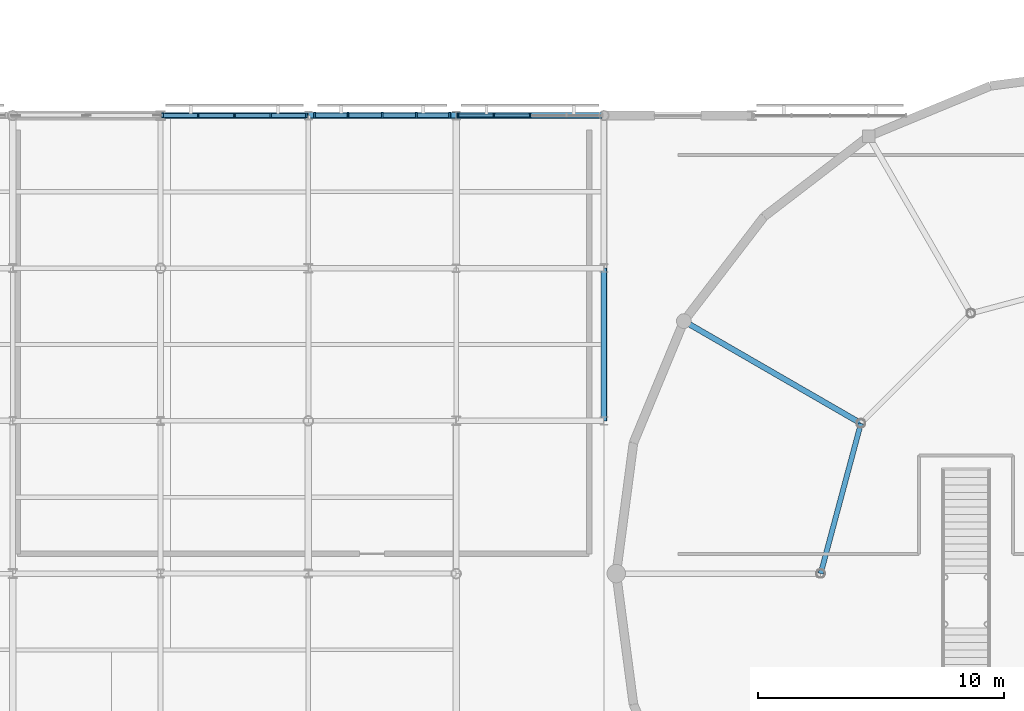
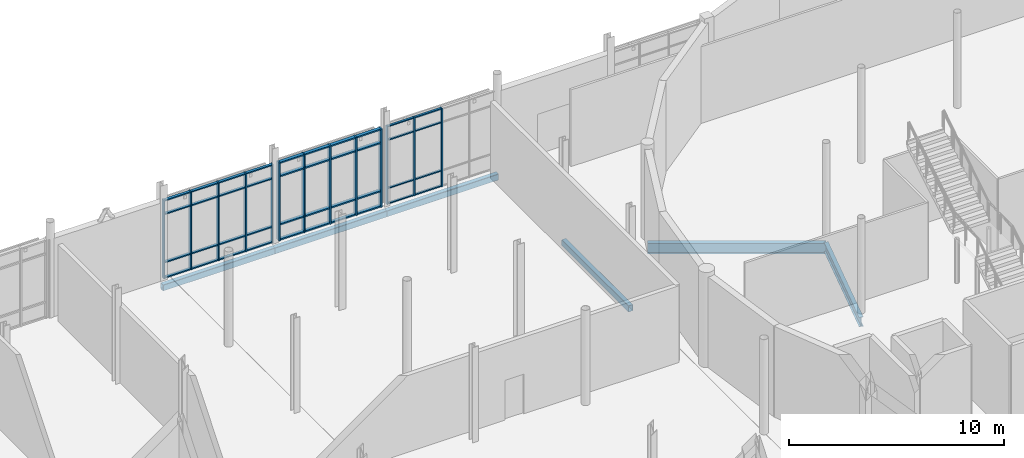
# One storey, part 42 of 98: 53 members, 6 beams, 3 elements without a shape of their own.
"""IFC4 building model written with IfcOpenShell, lengths in metres."""

from ifc_helpers import new_model, si_unit, direction, frame, origin, origin_2d, place, context, subcontext, project, spatial, rectangle, hollow_rectangle, i_section, extrude, material, layer, layer_set, material_profile, profile_set, type_object, element, aggregate, save


model = new_model("IFC4")

# Units and contexts
model_context = context("Model", 3, precision=1e-05, world=origin(), true_north=direction((0.0, 1.0)))
body_context = subcontext(model_context, "Body", "Model", "MODEL_VIEW")
ifc_project = project(units=[si_unit("LENGTHUNIT", "METRE"), si_unit("AREAUNIT", "SQUARE_METRE"), si_unit("VOLUMEUNIT", "CUBIC_METRE"), si_unit("PLANEANGLEUNIT", "RADIAN"), si_unit("MASSUNIT", "GRAM", prefix="KILO")], contexts=[model_context])

# Site, building, storey
site_placement = place(None, origin())
site = spatial("IfcSite", under=ifc_project, at=site_placement, CompositionType="ELEMENT")
building_placement = place(site_placement, origin())
building = spatial("IfcBuilding", under=site, at=building_placement, Name="Mirzam Square Science Centre", CompositionType="ELEMENT")
storey_placement = place(building_placement, origin())
storey = spatial("IfcBuildingStorey", under=building, at=storey_placement, Name="L00", CompositionType="ELEMENT", Elevation=0.0)

# Beams
ifc_material_1 = material(Name="Steel S355", Category="steel")
ifc_material_profile_1 = material_profile(ifc_material_1, i_section(OverallWidth=0.2099609375, OverallDepth=0.53662109375, WebThickness=0.0107421875, FlangeThickness=0.017333984375, FilletRadius=0.0126953125, at=origin_2d()), Name="533x210x101UB")
ifc_profile_set_1 = profile_set([ifc_material_profile_1], Name="Steel S355")
beam_type_1 = type_object("IfcBeamType", Name="BM-UB533", PredefinedType="BEAM", material=ifc_profile_set_1)
beam_1_placement = place(storey_placement, frame((70.4345703125, 68.10009765625, -0.568359375), z_axis=(-0.25881981979, -0.965925618712, 0.0), x_axis=(0.965925618712, -0.25881981979, 0.0)))
element("IfcBeam", 1, at=beam_1_placement, inside=storey, type_object=beam_type_1, Name="L00 inner drum ring girder 06", PredefinedType="BEAM", context=body_context, shape_type="SweptSolid", body=[
    extrude(i_section(OverallWidth=0.2099609375, OverallDepth=0.53662109375, WebThickness=0.0107421875, FlangeThickness=0.017333984375, FilletRadius=0.0126953125, at=origin_2d()), origin(), (0.0, 0.0, 1.0), 6.315185546875),
])
ifc_material_profile_2 = material_profile(ifc_material_1, i_section(OverallWidth=0.22900390625, OverallDepth=0.6123046875, WebThickness=0.011962890625, FlangeThickness=0.01953125, FilletRadius=0.0126953125, at=origin_2d()), Name="610x229x125UB")
ifc_profile_set_2 = profile_set([ifc_material_profile_2], Name="Steel S355")
beam_type_2 = type_object("IfcBeamType", Name="BM-UB610", PredefinedType="BEAM", material=ifc_profile_set_2)
beam_2_placement = place(storey_placement, frame((70.4345703125, 68.10009765625, -0.606201171875), z_axis=(-0.86602981871, 0.499992353047, 0.0), x_axis=(-0.499992353047, -0.86602981871, 0.0)))
element("IfcBeam", 2, at=beam_2_placement, inside=storey, type_object=beam_type_2, Name="L00 drum radial girder 06", PredefinedType="BEAM", context=body_context, shape_type="SweptSolid", body=[
    extrude(i_section(OverallWidth=0.22900390625, OverallDepth=0.6123046875, WebThickness=0.011962890625, FlangeThickness=0.01953125, FilletRadius=0.0126953125, at=origin_2d()), origin(), (0.0, 0.0, 1.0), 8.300048828125),
])

# Curtain wall, members
ifc_material_2 = material(Name="Anodised Aluminium and Low-E Solar Glass", Category="aluminium")
ifc_layer_1 = layer(ifc_material_2, 0.199951171875)
ifc_layer_set_1 = layer_set([ifc_layer_1], Name="CW-EAST-A")
curtain_wall_type_1 = type_object("IfcCurtainWallType", Name="CW-EAST-A", PredefinedType="USERDEFINED", material=ifc_layer_set_1)
curtain_wall_1_placement = place(storey_placement, origin())
curtain_wall_1 = element("IfcCurtainWall", 3, at=curtain_wall_1_placement, inside=storey, type_object=curtain_wall_type_1, Name="L00 unitised curtain wall 6", ObjectType="UNITISED CURTAIN WALL", PredefinedType="USERDEFINED")
ifc_material_3 = material(Name="Anodised Architectural Aluminium 6063-T6", Category="aluminium")
ifc_material_profile_3 = material_profile(ifc_material_3, rectangle(XDim=0.06005859375, YDim=0.159912109375, at=origin_2d()), Name="ALU-MULL-160x60x4")
ifc_profile_set_3 = profile_set([ifc_material_profile_3], Name="Anodised Architectural Aluminium 6063-T6")
member_type_1 = type_object("IfcMemberType", Name="CWM-160", PredefinedType="MULLION", material=ifc_profile_set_3)
member_1_placement = place(storey_placement, frame((57.0, 80.60009765625, 0.0), z_axis=(0.0, 0.0, 1.0), x_axis=(-1.0, 0.0, 0.0)))
member_1 = element("IfcMember", 4, at=member_1_placement, type_object=member_type_1, Name="CW-05 mullion 3", PredefinedType="MULLION", context=body_context, shape_type="SweptSolid", body=[
    extrude(rectangle(XDim=0.06005859375, YDim=0.159912109375, at=origin_2d()), origin(), (0.0, 0.0, 1.0), 4.43994140625),
])
member_2_placement = place(storey_placement, frame((55.527587890625, 80.60009765625, 0.0), z_axis=(0.0, 0.0, 1.0), x_axis=(-1.0, 0.0, 0.0)))
member_2 = element("IfcMember", 5, at=member_2_placement, type_object=member_type_1, Name="CW-05 mullion 4", PredefinedType="MULLION", context=body_context, shape_type="SweptSolid", body=[
    extrude(rectangle(XDim=0.06005859375, YDim=0.159912109375, at=origin_2d()), origin(), (0.0, 0.0, 1.0), 4.43994140625),
])
member_3_placement = place(storey_placement, frame((54.0849609375, 80.60009765625, 0.0), z_axis=(0.0, 0.0, 1.0), x_axis=(-1.0, 0.0, 0.0)))
member_3 = element("IfcMember", 6, at=member_3_placement, type_object=member_type_1, Name="CW-05 mullion 5", PredefinedType="MULLION", context=body_context, shape_type="SweptSolid", body=[
    extrude(rectangle(XDim=0.06005859375, YDim=0.159912109375, at=origin_2d()), origin(), (0.0, 0.0, 1.0), 4.43994140625),
])

ifc_layer_2 = layer(ifc_material_2, 0.159912109375)
ifc_layer_set_2 = layer_set([ifc_layer_2], Name="CW-COURT-A")
curtain_wall_type_2 = type_object("IfcCurtainWallType", Name="CW-COURT-A", PredefinedType="USERDEFINED", material=ifc_layer_set_2)
curtain_wall_2_placement = place(storey_placement, origin())
curtain_wall_2 = element("IfcCurtainWall", 7, at=curtain_wall_2_placement, inside=storey, type_object=curtain_wall_type_2, Name="L00 unitised curtain wall 4", ObjectType="UNITISED CURTAIN WALL", PredefinedType="USERDEFINED")
ifc_material_profile_4 = material_profile(ifc_material_3, rectangle(XDim=0.06494140625, YDim=0.199951171875, at=origin_2d()), Name="ALU-MULL-200x65x5")
ifc_profile_set_4 = profile_set([ifc_material_profile_4], Name="Anodised Architectural Aluminium 6063-T6")
member_type_2 = type_object("IfcMemberType", Name="CWM-200", PredefinedType="MULLION", material=ifc_profile_set_4)
member_4_placement = place(storey_placement, frame((47.91259765625, 80.60009765625, 0.0), z_axis=(0.0, 0.0, 1.0), x_axis=(-1.0, 0.0, 0.0)))
member_4 = element("IfcMember", 8, at=member_4_placement, type_object=member_type_2, Name="CW-03 mullion 1", PredefinedType="MULLION", context=body_context, shape_type="SweptSolid", body=[
    extrude(rectangle(XDim=0.06494140625, YDim=0.199951171875, at=origin_2d()), origin(), (0.0, 0.0, 1.0), 4.43994140625),
])
member_5_placement = place(storey_placement, frame((46.472412109375, 80.60009765625, 0.0), z_axis=(0.0, 0.0, 1.0), x_axis=(-1.0, 0.0, 0.0)))
member_5 = element("IfcMember", 9, at=member_5_placement, type_object=member_type_2, Name="CW-03 mullion 2", PredefinedType="MULLION", context=body_context, shape_type="SweptSolid", body=[
    extrude(rectangle(XDim=0.06494140625, YDim=0.199951171875, at=origin_2d()), origin(), (0.0, 0.0, 1.0), 4.43994140625),
])
member_6_placement = place(storey_placement, frame((45.0, 80.60009765625, 0.0), z_axis=(0.0, 0.0, 1.0), x_axis=(-1.0, 0.0, 0.0)))
member_6 = element("IfcMember", 10, at=member_6_placement, type_object=member_type_2, Name="CW-03 mullion 3", PredefinedType="MULLION", context=body_context, shape_type="SweptSolid", body=[
    extrude(rectangle(XDim=0.06494140625, YDim=0.199951171875, at=origin_2d()), origin(), (0.0, 0.0, 1.0), 4.43994140625),
])
member_7_placement = place(storey_placement, frame((43.527587890625, 80.60009765625, 0.0), z_axis=(0.0, 0.0, 1.0), x_axis=(-1.0, 0.0, 0.0)))
member_7 = element("IfcMember", 11, at=member_7_placement, type_object=member_type_2, Name="CW-03 mullion 4", PredefinedType="MULLION", context=body_context, shape_type="SweptSolid", body=[
    extrude(rectangle(XDim=0.06494140625, YDim=0.199951171875, at=origin_2d()), origin(), (0.0, 0.0, 1.0), 4.43994140625),
])
member_8_placement = place(storey_placement, frame((42.08740234375, 80.60009765625, 0.0), z_axis=(0.0, 0.0, 1.0), x_axis=(-1.0, 0.0, 0.0)))
member_8 = element("IfcMember", 12, at=member_8_placement, type_object=member_type_2, Name="CW-03 mullion 5", PredefinedType="MULLION", context=body_context, shape_type="SweptSolid", body=[
    extrude(rectangle(XDim=0.06494140625, YDim=0.199951171875, at=origin_2d()), origin(), (0.0, 0.0, 1.0), 4.43994140625),
])

ifc_layer_3 = layer(ifc_material_2, 0.159912109375)
ifc_layer_set_3 = layer_set([ifc_layer_3], Name="CW-COURT-B")
curtain_wall_type_3 = type_object("IfcCurtainWallType", Name="CW-COURT-B", PredefinedType="USERDEFINED", material=ifc_layer_set_3)
curtain_wall_3_placement = place(storey_placement, origin())
curtain_wall_3 = element("IfcCurtainWall", 13, at=curtain_wall_3_placement, inside=storey, type_object=curtain_wall_type_3, Name="L00 unitised curtain wall 5", ObjectType="UNITISED CURTAIN WALL", PredefinedType="USERDEFINED")
ifc_material_profile_5 = material_profile(ifc_material_3, rectangle(XDim=0.074951171875, YDim=0.239990234375, at=origin_2d()), Name="ALU-MULL-240x75x5")
ifc_profile_set_5 = profile_set([ifc_material_profile_5], Name="Anodised Architectural Aluminium 6063-T6")
member_type_3 = type_object("IfcMemberType", Name="CWM-240", PredefinedType="MULLION", material=ifc_profile_set_5)
member_9_placement = place(storey_placement, frame((53.737548828125, 80.60009765625, 0.0), z_axis=(0.0, 0.0, 1.0), x_axis=(-1.0, 0.0, 0.0)))
member_9 = element("IfcMember", 14, at=member_9_placement, type_object=member_type_3, Name="CW-04 mullion 1", PredefinedType="MULLION", context=body_context, shape_type="SweptSolid", body=[
    extrude(rectangle(XDim=0.074951171875, YDim=0.239990234375, at=origin_2d()), origin(), (0.0, 0.0, 1.0), 4.43994140625),
])
member_10_placement = place(storey_placement, frame((52.387451171875, 80.60009765625, 0.0), z_axis=(0.0, 0.0, 1.0), x_axis=(-1.0, 0.0, 0.0)))
member_10 = element("IfcMember", 15, at=member_10_placement, type_object=member_type_3, Name="CW-04 mullion 2", PredefinedType="MULLION", context=body_context, shape_type="SweptSolid", body=[
    extrude(rectangle(XDim=0.074951171875, YDim=0.239990234375, at=origin_2d()), origin(), (0.0, 0.0, 1.0), 4.43994140625),
])
member_11_placement = place(storey_placement, frame((51.0, 80.60009765625, 0.0), z_axis=(0.0, 0.0, 1.0), x_axis=(-1.0, 0.0, 0.0)))
member_11 = element("IfcMember", 16, at=member_11_placement, type_object=member_type_3, Name="CW-04 mullion 3", PredefinedType="MULLION", context=body_context, shape_type="SweptSolid", body=[
    extrude(rectangle(XDim=0.074951171875, YDim=0.239990234375, at=origin_2d()), origin(), (0.0, 0.0, 1.0), 4.43994140625),
])
member_12_placement = place(storey_placement, frame((49.612548828125, 80.60009765625, 0.0), z_axis=(0.0, 0.0, 1.0), x_axis=(-1.0, 0.0, 0.0)))
member_12 = element("IfcMember", 17, at=member_12_placement, type_object=member_type_3, Name="CW-04 mullion 4", PredefinedType="MULLION", context=body_context, shape_type="SweptSolid", body=[
    extrude(rectangle(XDim=0.074951171875, YDim=0.239990234375, at=origin_2d()), origin(), (0.0, 0.0, 1.0), 4.43994140625),
])
member_13_placement = place(storey_placement, frame((48.262451171875, 80.60009765625, 0.0), z_axis=(0.0, 0.0, 1.0), x_axis=(-1.0, 0.0, 0.0)))
member_13 = element("IfcMember", 18, at=member_13_placement, type_object=member_type_3, Name="CW-04 mullion 5", PredefinedType="MULLION", context=body_context, shape_type="SweptSolid", body=[
    extrude(rectangle(XDim=0.074951171875, YDim=0.239990234375, at=origin_2d()), origin(), (0.0, 0.0, 1.0), 4.43994140625),
])

# Member
ifc_material_profile_6 = material_profile(ifc_material_3, rectangle(XDim=0.1201171875, YDim=0.06005859375, at=origin_2d()), Name="ALU-TRAN-120x60x4")
ifc_profile_set_6 = profile_set([ifc_material_profile_6], Name="Anodised Architectural Aluminium 6063-T6")
member_type_4 = type_object("IfcMemberType", Name="CWT-120", PredefinedType="USERDEFINED", material=ifc_profile_set_6)
member_14_placement = place(storey_placement, frame((56.969970703125, 80.60009765625, 0.030029296875), z_axis=(-1.0, 0.0, 0.0), x_axis=(0.0, -1.0, 0.0)))
member_14 = element("IfcMember", 19, at=member_14_placement, type_object=member_type_4, Name="CW-05 transom 3.1", ObjectType="TRANSOM", PredefinedType="USERDEFINED", context=body_context, shape_type="SweptSolid", body=[
    extrude(rectangle(XDim=0.1201171875, YDim=0.06005859375, at=origin_2d()), origin(), (0.0, 0.0, 1.0), 1.412353515625),
])

member_15_placement = place(storey_placement, frame((56.969970703125, 80.60009765625, 0.89990234375), z_axis=(-1.0, 0.0, 0.0), x_axis=(0.0, -1.0, 0.0)))
member_15 = element("IfcMember", 20, at=member_15_placement, type_object=member_type_4, Name="CW-05 transom 3.2", ObjectType="TRANSOM", PredefinedType="USERDEFINED", context=body_context, shape_type="SweptSolid", body=[
    extrude(rectangle(XDim=0.1201171875, YDim=0.06005859375, at=origin_2d()), origin(), (0.0, 0.0, 1.0), 1.412353515625),
])

member_16_placement = place(storey_placement, frame((56.969970703125, 80.60009765625, 3.639892578125), z_axis=(-1.0, 0.0, 0.0), x_axis=(0.0, -1.0, 0.0)))
member_16 = element("IfcMember", 21, at=member_16_placement, type_object=member_type_4, Name="CW-05 transom 3.3", ObjectType="TRANSOM", PredefinedType="USERDEFINED", context=body_context, shape_type="SweptSolid", body=[
    extrude(rectangle(XDim=0.1201171875, YDim=0.06005859375, at=origin_2d()), origin(), (0.0, 0.0, 1.0), 1.412353515625),
])

member_17_placement = place(storey_placement, frame((56.969970703125, 80.60009765625, 4.409912109375), z_axis=(-1.0, 0.0, 0.0), x_axis=(0.0, -1.0, 0.0)))
member_17 = element("IfcMember", 22, at=member_17_placement, type_object=member_type_4, Name="CW-05 transom 3.4", ObjectType="TRANSOM", PredefinedType="USERDEFINED", context=body_context, shape_type="SweptSolid", body=[
    extrude(rectangle(XDim=0.1201171875, YDim=0.06005859375, at=origin_2d()), origin(), (0.0, 0.0, 1.0), 1.412353515625),
])

member_18_placement = place(storey_placement, frame((55.49755859375, 80.60009765625, 0.030029296875), z_axis=(-1.0, 0.0, 0.0), x_axis=(0.0, -1.0, 0.0)))
member_18 = element("IfcMember", 23, at=member_18_placement, type_object=member_type_4, Name="CW-05 transom 4.1", ObjectType="TRANSOM", PredefinedType="USERDEFINED", context=body_context, shape_type="SweptSolid", body=[
    extrude(rectangle(XDim=0.1201171875, YDim=0.06005859375, at=origin_2d()), origin(), (0.0, 0.0, 1.0), 1.382568359375),
])

member_19_placement = place(storey_placement, frame((55.49755859375, 80.60009765625, 0.89990234375), z_axis=(-1.0, 0.0, 0.0), x_axis=(0.0, -1.0, 0.0)))
member_19 = element("IfcMember", 24, at=member_19_placement, type_object=member_type_4, Name="CW-05 transom 4.2", ObjectType="TRANSOM", PredefinedType="USERDEFINED", context=body_context, shape_type="SweptSolid", body=[
    extrude(rectangle(XDim=0.1201171875, YDim=0.06005859375, at=origin_2d()), origin(), (0.0, 0.0, 1.0), 1.382568359375),
])

member_20_placement = place(storey_placement, frame((55.49755859375, 80.60009765625, 3.639892578125), z_axis=(-1.0, 0.0, 0.0), x_axis=(0.0, -1.0, 0.0)))
member_20 = element("IfcMember", 25, at=member_20_placement, type_object=member_type_4, Name="CW-05 transom 4.3", ObjectType="TRANSOM", PredefinedType="USERDEFINED", context=body_context, shape_type="SweptSolid", body=[
    extrude(rectangle(XDim=0.1201171875, YDim=0.06005859375, at=origin_2d()), origin(), (0.0, 0.0, 1.0), 1.382568359375),
])

member_21_placement = place(storey_placement, frame((55.49755859375, 80.60009765625, 4.409912109375), z_axis=(-1.0, 0.0, 0.0), x_axis=(0.0, -1.0, 0.0)))
member_21 = element("IfcMember", 26, at=member_21_placement, type_object=member_type_4, Name="CW-05 transom 4.4", ObjectType="TRANSOM", PredefinedType="USERDEFINED", context=body_context, shape_type="SweptSolid", body=[
    extrude(rectangle(XDim=0.1201171875, YDim=0.06005859375, at=origin_2d()), origin(), (0.0, 0.0, 1.0), 1.382568359375),
])

aggregate(curtain_wall_1, [member_1, member_2, member_3, member_14, member_15, member_16, member_17, member_18, member_19, member_20, member_21])

ifc_material_profile_7 = material_profile(ifc_material_3, rectangle(XDim=0.14990234375, YDim=0.06494140625, at=origin_2d()), Name="ALU-TRAN-150x65x4")
ifc_profile_set_7 = profile_set([ifc_material_profile_7], Name="Anodised Architectural Aluminium 6063-T6")
member_type_5 = type_object("IfcMemberType", Name="CWT-150", PredefinedType="USERDEFINED", material=ifc_profile_set_7)
member_22_placement = place(storey_placement, frame((47.8798828125, 80.60009765625, 0.032470703125), z_axis=(-1.0, 0.0, 0.0), x_axis=(0.0, -1.0, 0.0)))
member_22 = element("IfcMember", 27, at=member_22_placement, type_object=member_type_5, Name="CW-03 transom 1.1", ObjectType="TRANSOM", PredefinedType="USERDEFINED", context=body_context, shape_type="SweptSolid", body=[
    extrude(rectangle(XDim=0.14990234375, YDim=0.06494140625, at=origin_2d()), origin(), (0.0, 0.0, 1.0), 1.375),
])

member_23_placement = place(storey_placement, frame((47.8798828125, 80.60009765625, 0.89990234375), z_axis=(-1.0, 0.0, 0.0), x_axis=(0.0, -1.0, 0.0)))
member_23 = element("IfcMember", 28, at=member_23_placement, type_object=member_type_5, Name="CW-03 transom 1.2", ObjectType="TRANSOM", PredefinedType="USERDEFINED", context=body_context, shape_type="SweptSolid", body=[
    extrude(rectangle(XDim=0.14990234375, YDim=0.06494140625, at=origin_2d()), origin(), (0.0, 0.0, 1.0), 1.375),
])

member_24_placement = place(storey_placement, frame((47.8798828125, 80.60009765625, 3.639892578125), z_axis=(-1.0, 0.0, 0.0), x_axis=(0.0, -1.0, 0.0)))
member_24 = element("IfcMember", 29, at=member_24_placement, type_object=member_type_5, Name="CW-03 transom 1.3", ObjectType="TRANSOM", PredefinedType="USERDEFINED", context=body_context, shape_type="SweptSolid", body=[
    extrude(rectangle(XDim=0.14990234375, YDim=0.06494140625, at=origin_2d()), origin(), (0.0, 0.0, 1.0), 1.375),
])

member_25_placement = place(storey_placement, frame((47.8798828125, 80.60009765625, 4.407470703125), z_axis=(-1.0, 0.0, 0.0), x_axis=(0.0, -1.0, 0.0)))
member_25 = element("IfcMember", 30, at=member_25_placement, type_object=member_type_5, Name="CW-03 transom 1.4", ObjectType="TRANSOM", PredefinedType="USERDEFINED", context=body_context, shape_type="SweptSolid", body=[
    extrude(rectangle(XDim=0.14990234375, YDim=0.06494140625, at=origin_2d()), origin(), (0.0, 0.0, 1.0), 1.375),
])

member_26_placement = place(storey_placement, frame((46.43994140625, 80.60009765625, 0.032470703125), z_axis=(-1.0, 0.0, 0.0), x_axis=(0.0, -1.0, 0.0)))
member_26 = element("IfcMember", 31, at=member_26_placement, type_object=member_type_5, Name="CW-03 transom 2.1", ObjectType="TRANSOM", PredefinedType="USERDEFINED", context=body_context, shape_type="SweptSolid", body=[
    extrude(rectangle(XDim=0.14990234375, YDim=0.06494140625, at=origin_2d()), origin(), (0.0, 0.0, 1.0), 1.407470703125),
])

member_27_placement = place(storey_placement, frame((46.43994140625, 80.60009765625, 0.89990234375), z_axis=(-1.0, 0.0, 0.0), x_axis=(0.0, -1.0, 0.0)))
member_27 = element("IfcMember", 32, at=member_27_placement, type_object=member_type_5, Name="CW-03 transom 2.2", ObjectType="TRANSOM", PredefinedType="USERDEFINED", context=body_context, shape_type="SweptSolid", body=[
    extrude(rectangle(XDim=0.14990234375, YDim=0.06494140625, at=origin_2d()), origin(), (0.0, 0.0, 1.0), 1.407470703125),
])

member_28_placement = place(storey_placement, frame((46.43994140625, 80.60009765625, 3.639892578125), z_axis=(-1.0, 0.0, 0.0), x_axis=(0.0, -1.0, 0.0)))
member_28 = element("IfcMember", 33, at=member_28_placement, type_object=member_type_5, Name="CW-03 transom 2.3", ObjectType="TRANSOM", PredefinedType="USERDEFINED", context=body_context, shape_type="SweptSolid", body=[
    extrude(rectangle(XDim=0.14990234375, YDim=0.06494140625, at=origin_2d()), origin(), (0.0, 0.0, 1.0), 1.407470703125),
])

member_29_placement = place(storey_placement, frame((46.43994140625, 80.60009765625, 4.407470703125), z_axis=(-1.0, 0.0, 0.0), x_axis=(0.0, -1.0, 0.0)))
member_29 = element("IfcMember", 34, at=member_29_placement, type_object=member_type_5, Name="CW-03 transom 2.4", ObjectType="TRANSOM", PredefinedType="USERDEFINED", context=body_context, shape_type="SweptSolid", body=[
    extrude(rectangle(XDim=0.14990234375, YDim=0.06494140625, at=origin_2d()), origin(), (0.0, 0.0, 1.0), 1.407470703125),
])

member_30_placement = place(storey_placement, frame((44.967529296875, 80.60009765625, 0.032470703125), z_axis=(-1.0, 0.0, 0.0), x_axis=(0.0, -1.0, 0.0)))
member_30 = element("IfcMember", 35, at=member_30_placement, type_object=member_type_5, Name="CW-03 transom 3.1", ObjectType="TRANSOM", PredefinedType="USERDEFINED", context=body_context, shape_type="SweptSolid", body=[
    extrude(rectangle(XDim=0.14990234375, YDim=0.06494140625, at=origin_2d()), origin(), (0.0, 0.0, 1.0), 1.407470703125),
])

member_31_placement = place(storey_placement, frame((44.967529296875, 80.60009765625, 0.89990234375), z_axis=(-1.0, 0.0, 0.0), x_axis=(0.0, -1.0, 0.0)))
member_31 = element("IfcMember", 36, at=member_31_placement, type_object=member_type_5, Name="CW-03 transom 3.2", ObjectType="TRANSOM", PredefinedType="USERDEFINED", context=body_context, shape_type="SweptSolid", body=[
    extrude(rectangle(XDim=0.14990234375, YDim=0.06494140625, at=origin_2d()), origin(), (0.0, 0.0, 1.0), 1.407470703125),
])

member_32_placement = place(storey_placement, frame((44.967529296875, 80.60009765625, 3.639892578125), z_axis=(-1.0, 0.0, 0.0), x_axis=(0.0, -1.0, 0.0)))
member_32 = element("IfcMember", 37, at=member_32_placement, type_object=member_type_5, Name="CW-03 transom 3.3", ObjectType="TRANSOM", PredefinedType="USERDEFINED", context=body_context, shape_type="SweptSolid", body=[
    extrude(rectangle(XDim=0.14990234375, YDim=0.06494140625, at=origin_2d()), origin(), (0.0, 0.0, 1.0), 1.407470703125),
])

member_33_placement = place(storey_placement, frame((44.967529296875, 80.60009765625, 4.407470703125), z_axis=(-1.0, 0.0, 0.0), x_axis=(0.0, -1.0, 0.0)))
member_33 = element("IfcMember", 38, at=member_33_placement, type_object=member_type_5, Name="CW-03 transom 3.4", ObjectType="TRANSOM", PredefinedType="USERDEFINED", context=body_context, shape_type="SweptSolid", body=[
    extrude(rectangle(XDim=0.14990234375, YDim=0.06494140625, at=origin_2d()), origin(), (0.0, 0.0, 1.0), 1.407470703125),
])

member_34_placement = place(storey_placement, frame((43.4951171875, 80.60009765625, 0.032470703125), z_axis=(-1.0, 0.0, 0.0), x_axis=(0.0, -1.0, 0.0)))
member_34 = element("IfcMember", 39, at=member_34_placement, type_object=member_type_5, Name="CW-03 transom 4.1", ObjectType="TRANSOM", PredefinedType="USERDEFINED", context=body_context, shape_type="SweptSolid", body=[
    extrude(rectangle(XDim=0.14990234375, YDim=0.06494140625, at=origin_2d()), origin(), (0.0, 0.0, 1.0), 1.375),
])

member_35_placement = place(storey_placement, frame((43.4951171875, 80.60009765625, 0.89990234375), z_axis=(-1.0, 0.0, 0.0), x_axis=(0.0, -1.0, 0.0)))
member_35 = element("IfcMember", 40, at=member_35_placement, type_object=member_type_5, Name="CW-03 transom 4.2", ObjectType="TRANSOM", PredefinedType="USERDEFINED", context=body_context, shape_type="SweptSolid", body=[
    extrude(rectangle(XDim=0.14990234375, YDim=0.06494140625, at=origin_2d()), origin(), (0.0, 0.0, 1.0), 1.375),
])

member_36_placement = place(storey_placement, frame((43.4951171875, 80.60009765625, 3.639892578125), z_axis=(-1.0, 0.0, 0.0), x_axis=(0.0, -1.0, 0.0)))
member_36 = element("IfcMember", 41, at=member_36_placement, type_object=member_type_5, Name="CW-03 transom 4.3", ObjectType="TRANSOM", PredefinedType="USERDEFINED", context=body_context, shape_type="SweptSolid", body=[
    extrude(rectangle(XDim=0.14990234375, YDim=0.06494140625, at=origin_2d()), origin(), (0.0, 0.0, 1.0), 1.375),
])

member_37_placement = place(storey_placement, frame((43.4951171875, 80.60009765625, 4.407470703125), z_axis=(-1.0, 0.0, 0.0), x_axis=(0.0, -1.0, 0.0)))
member_37 = element("IfcMember", 42, at=member_37_placement, type_object=member_type_5, Name="CW-03 transom 4.4", ObjectType="TRANSOM", PredefinedType="USERDEFINED", context=body_context, shape_type="SweptSolid", body=[
    extrude(rectangle(XDim=0.14990234375, YDim=0.06494140625, at=origin_2d()), origin(), (0.0, 0.0, 1.0), 1.375),
])

aggregate(curtain_wall_2, [member_4, member_5, member_6, member_7, member_8, member_22, member_23, member_24, member_25, member_26, member_27, member_28, member_29, member_30, member_31, member_32, member_33, member_34, member_35, member_36, member_37])

ifc_material_profile_8 = material_profile(ifc_material_3, rectangle(XDim=0.179931640625, YDim=0.074951171875, at=origin_2d()), Name="ALU-TRAN-180x75x5")
ifc_profile_set_8 = profile_set([ifc_material_profile_8], Name="Anodised Architectural Aluminium 6063-T6")
member_type_6 = type_object("IfcMemberType", Name="CWT-180", PredefinedType="USERDEFINED", material=ifc_profile_set_8)
member_38_placement = place(storey_placement, frame((53.699951171875, 80.60009765625, 0.03759765625), z_axis=(-1.0, 0.0, 0.0), x_axis=(0.0, -1.0, 0.0)))
member_38 = element("IfcMember", 43, at=member_38_placement, type_object=member_type_6, Name="CW-04 transom 1.1", ObjectType="TRANSOM", PredefinedType="USERDEFINED", context=body_context, shape_type="SweptSolid", body=[
    extrude(rectangle(XDim=0.179931640625, YDim=0.074951171875, at=origin_2d()), origin(), (0.0, 0.0, 1.0), 1.27490234375),
])

member_39_placement = place(storey_placement, frame((53.699951171875, 80.60009765625, 0.89990234375), z_axis=(-1.0, 0.0, 0.0), x_axis=(0.0, -1.0, 0.0)))
member_39 = element("IfcMember", 44, at=member_39_placement, type_object=member_type_6, Name="CW-04 transom 1.2", ObjectType="TRANSOM", PredefinedType="USERDEFINED", context=body_context, shape_type="SweptSolid", body=[
    extrude(rectangle(XDim=0.179931640625, YDim=0.074951171875, at=origin_2d()), origin(), (0.0, 0.0, 1.0), 1.27490234375),
])

member_40_placement = place(storey_placement, frame((53.699951171875, 80.60009765625, 3.639892578125), z_axis=(-1.0, 0.0, 0.0), x_axis=(0.0, -1.0, 0.0)))
member_40 = element("IfcMember", 45, at=member_40_placement, type_object=member_type_6, Name="CW-04 transom 1.3", ObjectType="TRANSOM", PredefinedType="USERDEFINED", context=body_context, shape_type="SweptSolid", body=[
    extrude(rectangle(XDim=0.179931640625, YDim=0.074951171875, at=origin_2d()), origin(), (0.0, 0.0, 1.0), 1.27490234375),
])

member_41_placement = place(storey_placement, frame((53.699951171875, 80.60009765625, 4.402587890625), z_axis=(-1.0, 0.0, 0.0), x_axis=(0.0, -1.0, 0.0)))
member_41 = element("IfcMember", 46, at=member_41_placement, type_object=member_type_6, Name="CW-04 transom 1.4", ObjectType="TRANSOM", PredefinedType="USERDEFINED", context=body_context, shape_type="SweptSolid", body=[
    extrude(rectangle(XDim=0.179931640625, YDim=0.074951171875, at=origin_2d()), origin(), (0.0, 0.0, 1.0), 1.27490234375),
])

member_42_placement = place(storey_placement, frame((52.35009765625, 80.60009765625, 0.03759765625), z_axis=(-1.0, 0.0, 0.0), x_axis=(0.0, -1.0, 0.0)))
member_42 = element("IfcMember", 47, at=member_42_placement, type_object=member_type_6, Name="CW-04 transom 2.1", ObjectType="TRANSOM", PredefinedType="USERDEFINED", context=body_context, shape_type="SweptSolid", body=[
    extrude(rectangle(XDim=0.179931640625, YDim=0.074951171875, at=origin_2d()), origin(), (0.0, 0.0, 1.0), 1.3125),
])

member_43_placement = place(storey_placement, frame((52.35009765625, 80.60009765625, 0.89990234375), z_axis=(-1.0, 0.0, 0.0), x_axis=(0.0, -1.0, 0.0)))
member_43 = element("IfcMember", 48, at=member_43_placement, type_object=member_type_6, Name="CW-04 transom 2.2", ObjectType="TRANSOM", PredefinedType="USERDEFINED", context=body_context, shape_type="SweptSolid", body=[
    extrude(rectangle(XDim=0.179931640625, YDim=0.074951171875, at=origin_2d()), origin(), (0.0, 0.0, 1.0), 1.3125),
])

member_44_placement = place(storey_placement, frame((52.35009765625, 80.60009765625, 3.639892578125), z_axis=(-1.0, 0.0, 0.0), x_axis=(0.0, -1.0, 0.0)))
member_44 = element("IfcMember", 49, at=member_44_placement, type_object=member_type_6, Name="CW-04 transom 2.3", ObjectType="TRANSOM", PredefinedType="USERDEFINED", context=body_context, shape_type="SweptSolid", body=[
    extrude(rectangle(XDim=0.179931640625, YDim=0.074951171875, at=origin_2d()), origin(), (0.0, 0.0, 1.0), 1.3125),
])

member_45_placement = place(storey_placement, frame((52.35009765625, 80.60009765625, 4.402587890625), z_axis=(-1.0, 0.0, 0.0), x_axis=(0.0, -1.0, 0.0)))
member_45 = element("IfcMember", 50, at=member_45_placement, type_object=member_type_6, Name="CW-04 transom 2.4", ObjectType="TRANSOM", PredefinedType="USERDEFINED", context=body_context, shape_type="SweptSolid", body=[
    extrude(rectangle(XDim=0.179931640625, YDim=0.074951171875, at=origin_2d()), origin(), (0.0, 0.0, 1.0), 1.3125),
])

member_46_placement = place(storey_placement, frame((50.96240234375, 80.60009765625, 0.03759765625), z_axis=(-1.0, 0.0, 0.0), x_axis=(0.0, -1.0, 0.0)))
member_46 = element("IfcMember", 51, at=member_46_placement, type_object=member_type_6, Name="CW-04 transom 3.1", ObjectType="TRANSOM", PredefinedType="USERDEFINED", context=body_context, shape_type="SweptSolid", body=[
    extrude(rectangle(XDim=0.179931640625, YDim=0.074951171875, at=origin_2d()), origin(), (0.0, 0.0, 1.0), 1.3125),
])

member_47_placement = place(storey_placement, frame((50.96240234375, 80.60009765625, 0.89990234375), z_axis=(-1.0, 0.0, 0.0), x_axis=(0.0, -1.0, 0.0)))
member_47 = element("IfcMember", 52, at=member_47_placement, type_object=member_type_6, Name="CW-04 transom 3.2", ObjectType="TRANSOM", PredefinedType="USERDEFINED", context=body_context, shape_type="SweptSolid", body=[
    extrude(rectangle(XDim=0.179931640625, YDim=0.074951171875, at=origin_2d()), origin(), (0.0, 0.0, 1.0), 1.3125),
])

member_48_placement = place(storey_placement, frame((50.96240234375, 80.60009765625, 3.639892578125), z_axis=(-1.0, 0.0, 0.0), x_axis=(0.0, -1.0, 0.0)))
member_48 = element("IfcMember", 53, at=member_48_placement, type_object=member_type_6, Name="CW-04 transom 3.3", ObjectType="TRANSOM", PredefinedType="USERDEFINED", context=body_context, shape_type="SweptSolid", body=[
    extrude(rectangle(XDim=0.179931640625, YDim=0.074951171875, at=origin_2d()), origin(), (0.0, 0.0, 1.0), 1.3125),
])

member_49_placement = place(storey_placement, frame((50.96240234375, 80.60009765625, 4.402587890625), z_axis=(-1.0, 0.0, 0.0), x_axis=(0.0, -1.0, 0.0)))
member_49 = element("IfcMember", 54, at=member_49_placement, type_object=member_type_6, Name="CW-04 transom 3.4", ObjectType="TRANSOM", PredefinedType="USERDEFINED", context=body_context, shape_type="SweptSolid", body=[
    extrude(rectangle(XDim=0.179931640625, YDim=0.074951171875, at=origin_2d()), origin(), (0.0, 0.0, 1.0), 1.3125),
])

member_50_placement = place(storey_placement, frame((49.574951171875, 80.60009765625, 0.03759765625), z_axis=(-1.0, 0.0, 0.0), x_axis=(0.0, -1.0, 0.0)))
member_50 = element("IfcMember", 55, at=member_50_placement, type_object=member_type_6, Name="CW-04 transom 4.1", ObjectType="TRANSOM", PredefinedType="USERDEFINED", context=body_context, shape_type="SweptSolid", body=[
    extrude(rectangle(XDim=0.179931640625, YDim=0.074951171875, at=origin_2d()), origin(), (0.0, 0.0, 1.0), 1.27490234375),
])

member_51_placement = place(storey_placement, frame((49.574951171875, 80.60009765625, 0.89990234375), z_axis=(-1.0, 0.0, 0.0), x_axis=(0.0, -1.0, 0.0)))
member_51 = element("IfcMember", 56, at=member_51_placement, type_object=member_type_6, Name="CW-04 transom 4.2", ObjectType="TRANSOM", PredefinedType="USERDEFINED", context=body_context, shape_type="SweptSolid", body=[
    extrude(rectangle(XDim=0.179931640625, YDim=0.074951171875, at=origin_2d()), origin(), (0.0, 0.0, 1.0), 1.27490234375),
])

member_52_placement = place(storey_placement, frame((49.574951171875, 80.60009765625, 3.639892578125), z_axis=(-1.0, 0.0, 0.0), x_axis=(0.0, -1.0, 0.0)))
member_52 = element("IfcMember", 57, at=member_52_placement, type_object=member_type_6, Name="CW-04 transom 4.3", ObjectType="TRANSOM", PredefinedType="USERDEFINED", context=body_context, shape_type="SweptSolid", body=[
    extrude(rectangle(XDim=0.179931640625, YDim=0.074951171875, at=origin_2d()), origin(), (0.0, 0.0, 1.0), 1.27490234375),
])

member_53_placement = place(storey_placement, frame((49.574951171875, 80.60009765625, 4.402587890625), z_axis=(-1.0, 0.0, 0.0), x_axis=(0.0, -1.0, 0.0)))
member_53 = element("IfcMember", 58, at=member_53_placement, type_object=member_type_6, Name="CW-04 transom 4.4", ObjectType="TRANSOM", PredefinedType="USERDEFINED", context=body_context, shape_type="SweptSolid", body=[
    extrude(rectangle(XDim=0.179931640625, YDim=0.074951171875, at=origin_2d()), origin(), (0.0, 0.0, 1.0), 1.27490234375),
])

aggregate(curtain_wall_3, [member_9, member_10, member_11, member_12, member_13, member_38, member_39, member_40, member_41, member_42, member_43, member_44, member_45, member_46, member_47, member_48, member_49, member_50, member_51, member_52, member_53])

# Beams
ifc_material_profile_9 = material_profile(ifc_material_1, hollow_rectangle(XDim=0.25, YDim=0.35009765625, WallThickness=0.012451171875, InnerFilletRadius=0.012451171875, OuterFilletRadius=0.02490234375, at=origin_2d()), Name="350x250x12.5RHS")
ifc_profile_set_9 = profile_set([ifc_material_profile_9], Name="Steel S355")
beam_type_3 = type_object("IfcBeamType", Name="SP-RHS350", PredefinedType="SPANDREL", material=ifc_profile_set_9)
for number, where, z_axis, x_axis, name in (
    (59, (42.0, 80.60009765625, -0.47509765625), (1.0, 0.0, 0.0), (0.0, 1.0, 0.0), "L00 girder X8-14"),
    (60, (48.0, 80.60009765625, -0.47509765625), (1.0, 0.0, 0.0), (0.0, 1.0, 0.0), "L00 girder X9-14"),
    (61, (54.0, 80.60009765625, -0.47509765625), (1.0, 0.0, 0.0), (0.0, 1.0, 0.0), "L00 girder X10-14"),
):
    element("IfcBeam", number, at=place(storey_placement, frame(where, z_axis=z_axis, x_axis=x_axis)), inside=storey, type_object=beam_type_3, Name=name, PredefinedType="SPANDREL", context=body_context, shape_type="SweptSolid", body=[
        extrude(hollow_rectangle(XDim=0.25, YDim=0.35009765625, WallThickness=0.012451171875, InnerFilletRadius=0.012451171875, OuterFilletRadius=0.02490234375, at=origin_2d()), origin(), (0.0, 0.0, 1.0), 6.0),
    ])
beam_3_placement = place(storey_placement, frame((60.0, 68.199951171875, -0.47509765625), z_axis=(0.0, 1.0, 0.0), x_axis=(-1.0, 0.0, 0.0)))
element("IfcBeam", 62, at=beam_3_placement, inside=storey, type_object=beam_type_3, Name="L00 girder Y11-12", PredefinedType="SPANDREL", context=body_context, shape_type="SweptSolid", body=[
    extrude(hollow_rectangle(XDim=0.25, YDim=0.35009765625, WallThickness=0.012451171875, InnerFilletRadius=0.012451171875, OuterFilletRadius=0.02490234375, at=origin_2d()), origin(), (0.0, 0.0, 1.0), 6.199951171875),
])

save(model, "model.ifc")
